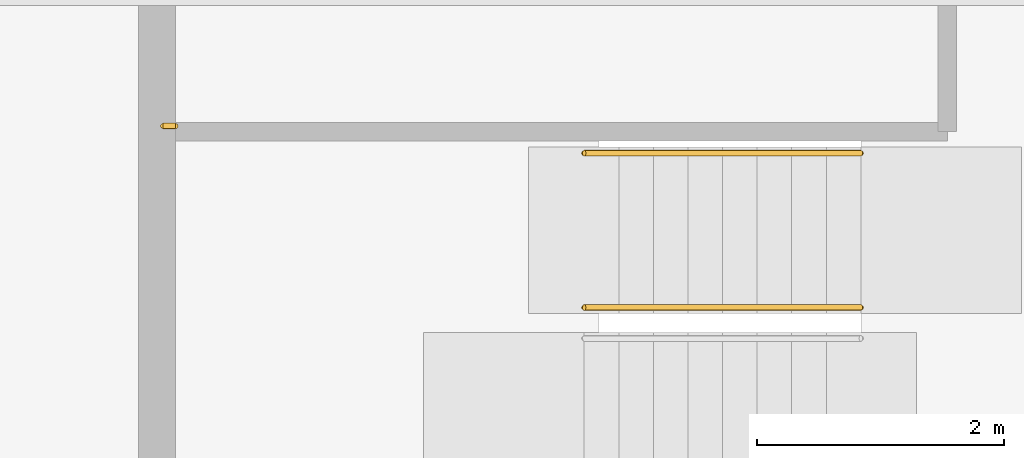
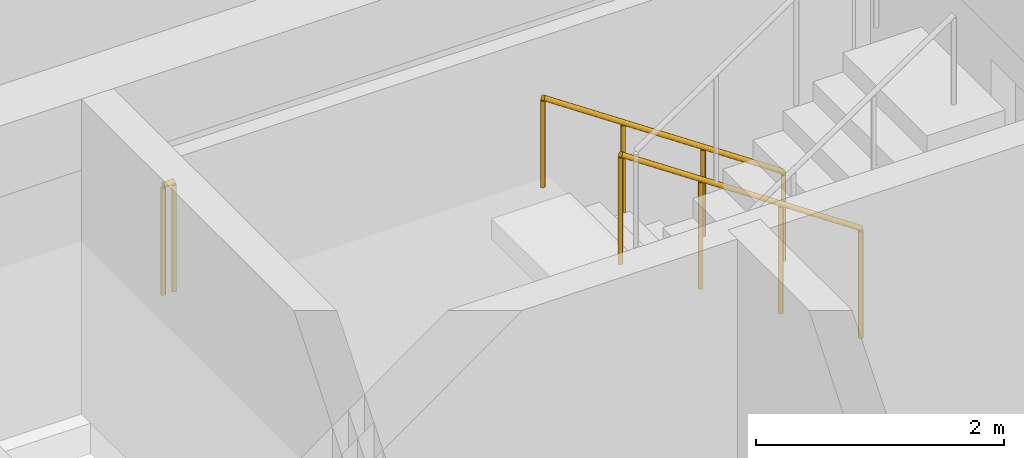
# One storey, part 12 of 13: 3 railings.
"""IFC4 building model written with IfcOpenShell, lengths in metres."""

from ifc_helpers import new_model, si_unit, direction, frame, origin, origin_2d, place, context, subcontext, project, spatial, circle, extrude, material, type_object, element, save


model = new_model("IFC4")

# Units and contexts
model_context = context("Model", 3, precision=1e-05, world=origin(), true_north=direction((0.0, 1.0)))
body_context = subcontext(model_context, "Body", "Model", "MODEL_VIEW")
ifc_project = project(units=[si_unit("LENGTHUNIT", "METRE"), si_unit("AREAUNIT", "SQUARE_METRE"), si_unit("VOLUMEUNIT", "CUBIC_METRE"), si_unit("PLANEANGLEUNIT", "RADIAN"), si_unit("MASSUNIT", "GRAM", prefix="KILO")], contexts=[model_context])

# Site, building, storey
site_placement = place(None, origin())
site = spatial("IfcSite", under=ifc_project, at=site_placement, CompositionType="ELEMENT")
building_placement = place(site_placement, origin())
building = spatial("IfcBuilding", under=site, at=building_placement, Name="Windrow Commons", CompositionType="ELEMENT")
storey_placement = place(building_placement, frame((0.0, 0.0, 216.8)))
storey = spatial("IfcBuildingStorey", under=building, at=storey_placement, Name="L59", CompositionType="ELEMENT", Elevation=216.8)

# Railings
ifc_material_1 = material(Name="Steel S355", Category="steel")
railing_type_1 = type_object("IfcRailingType", Name="Core stair guard 1100", PredefinedType="GUARDRAIL", material=ifc_material_1)
railing_1_placement = place(storey_placement, frame((70.5, 62.355, 0.1889)))
element("IfcRailing", 1, at=railing_1_placement, inside=storey, type_object=railing_type_1, Name="L59 ST-A2 stair guard 1", PredefinedType="GUARDRAIL", context=body_context, shape_type="SweptSolid", body=[
    extrude(circle(Radius=0.024, at=origin_2d()), frame((0.0, 0.0, 1.076), z_axis=(-0.8290030985, 0.0, 0.5592440099), x_axis=(0.0, -1.0, 0.0)), (0.0, 0.0, 1.0), 2.702),
    extrude(circle(Radius=0.021, at=origin_2d()), origin(), (0.0, 0.0, 1.0), 1.052),
    extrude(circle(Radius=0.021, at=origin_2d()), frame((-0.7467, 0.0, 0.5037)), (0.0, 0.0, 1.0), 1.052),
    extrude(circle(Radius=0.021, at=origin_2d()), frame((-1.4933, 0.0, 1.0074)), (0.0, 0.0, 1.0), 1.052),
    extrude(circle(Radius=0.021, at=origin_2d()), frame((-2.24, 0.0, 1.5111)), (0.0, 0.0, 1.0), 1.052),
])
railing_2_placement = place(storey_placement, frame((64.95, 63.825, 1.7)))
element("IfcRailing", 2, at=railing_2_placement, inside=storey, type_object=railing_type_1, Name="L59 ST-A2 stair guard 3", PredefinedType="GUARDRAIL", context=body_context, shape_type="SweptSolid", body=[
    extrude(circle(Radius=0.024, at=origin_2d()), frame((0.0, 0.0, 1.076), z_axis=(-1.0, 0.0, 0.0), x_axis=(0.0, -1.0, 0.0)), (0.0, 0.0, 1.0), 0.1),
    extrude(circle(Radius=0.021, at=origin_2d()), origin(), (0.0, 0.0, 1.0), 1.052),
    extrude(circle(Radius=0.021, at=origin_2d()), frame((-0.1, 0.0, 0.0)), (0.0, 0.0, 1.0), 1.052),
])
ifc_material_2 = material(Name="Steel S355", Category="steel")
railing_type_2 = type_object("IfcRailingType", Name="Core stair handrail 900", PredefinedType="HANDRAIL", material=ifc_material_2)
railing_3_placement = place(storey_placement, frame((70.5, 63.605, 0.1889)))
element("IfcRailing", 3, at=railing_3_placement, inside=storey, type_object=railing_type_2, Name="L59 ST-A2 stair handrail 1", PredefinedType="HANDRAIL", context=body_context, shape_type="SweptSolid", body=[
    extrude(circle(Radius=0.024, at=origin_2d()), frame((0.0, 0.0, 0.876), z_axis=(-0.8290030985, 0.0, 0.5592440099), x_axis=(0.0, -1.0, 0.0)), (0.0, 0.0, 1.0), 2.702),
    extrude(circle(Radius=0.021, at=origin_2d()), origin(), (0.0, 0.0, 1.0), 0.852),
    extrude(circle(Radius=0.021, at=origin_2d()), frame((-0.7467, 0.0, 0.5037)), (0.0, 0.0, 1.0), 0.852),
    extrude(circle(Radius=0.021, at=origin_2d()), frame((-1.4933, 0.0, 1.0074)), (0.0, 0.0, 1.0), 0.852),
    extrude(circle(Radius=0.021, at=origin_2d()), frame((-2.24, 0.0, 1.5111)), (0.0, 0.0, 1.0), 0.852),
])

save(model, "model.ifc")
